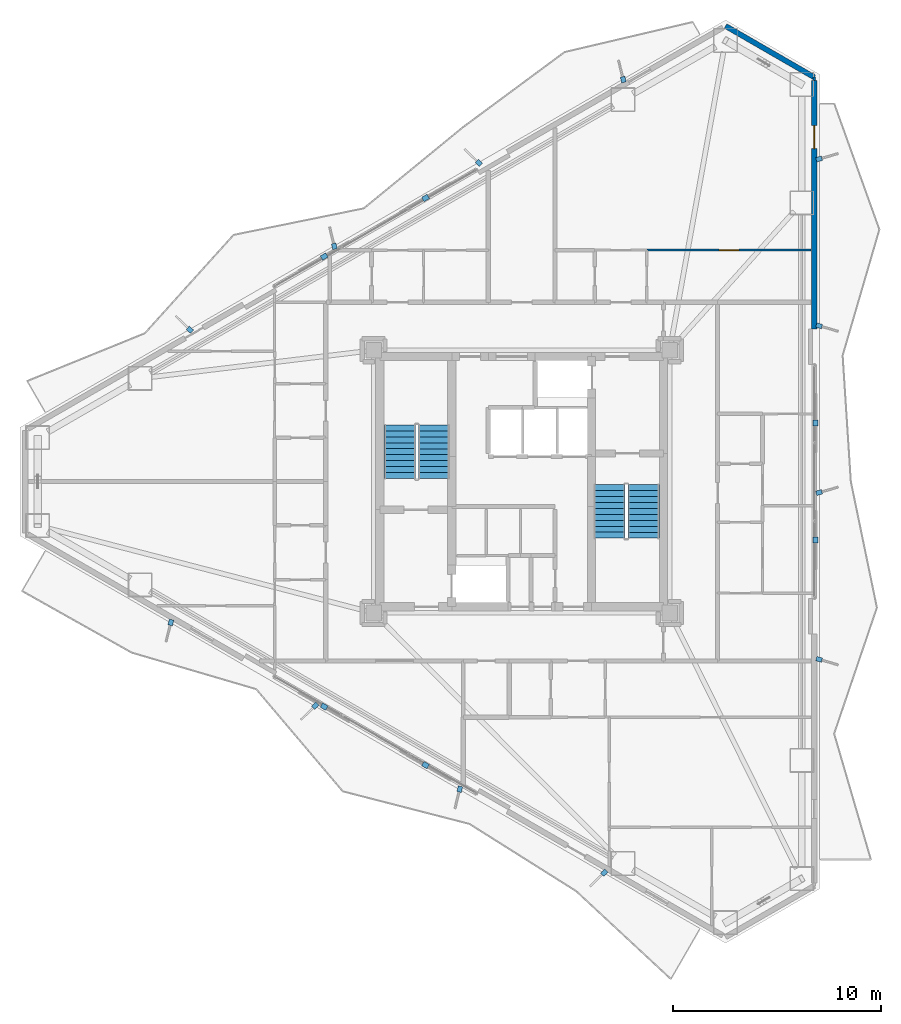
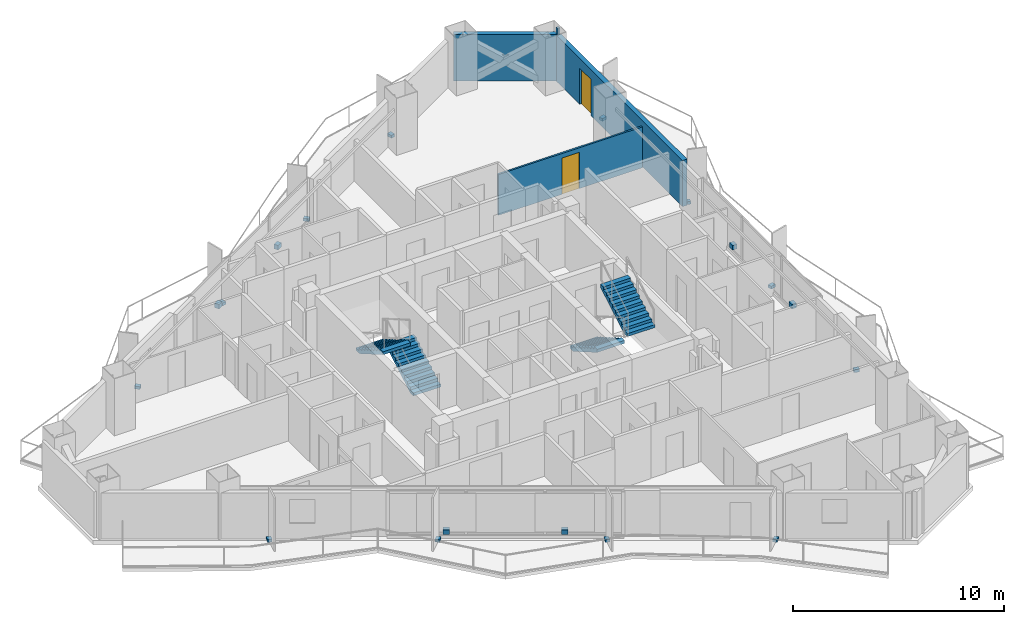
# One storey, part 20 of 22: 18 discrete accessories, 4 stair flights, 4 walls, 2 doors, 2 openings, 2 elements without a shape of their own.
"""IFC4 building model written with IfcOpenShell, lengths in metres."""

from ifc_helpers import new_model, si_unit, direction, frame, frame_2d, origin, origin_2d, place, context, subcontext, project, spatial, polyline, rectangle, outline, extrude, material, layer, layer_set, type_object, element, fill, aggregate, save


model = new_model("IFC4")

# Units and contexts
model_context = context("Model", 3, precision=1e-05, world=origin(), true_north=direction((0.0, 1.0)))
body_context = subcontext(model_context, "Body", "Model", "MODEL_VIEW")
ifc_project = project(units=[si_unit("LENGTHUNIT", "METRE"), si_unit("AREAUNIT", "SQUARE_METRE"), si_unit("VOLUMEUNIT", "CUBIC_METRE"), si_unit("PLANEANGLEUNIT", "RADIAN"), si_unit("MASSUNIT", "GRAM", prefix="KILO")], contexts=[model_context])

# Site, building, storey
site_placement = place(None, origin())
site = spatial("IfcSite", under=ifc_project, at=site_placement, CompositionType="ELEMENT")
building_placement = place(site_placement, origin())
building = spatial("IfcBuilding", under=site, at=building_placement, Name="Mersakhor Tower and Convention Hall", CompositionType="ELEMENT")
storey_placement = place(building_placement, frame((0.0, 0.0, 103.199951171875)))
storey = spatial("IfcBuildingStorey", under=building, at=storey_placement, Name="L28", CompositionType="ELEMENT", Elevation=103.199951171875)

# Wall
ifc_material_1 = material(Name="Precast concrete C40/50", Category="concrete")
ifc_layer_1 = layer(ifc_material_1, 0.25)
ifc_layer_set_1 = layer_set([ifc_layer_1], Name="Precast concrete C40/50")
wall_type_1 = type_object("IfcWallType", Name="WL-EXT-250", PredefinedType="SOLIDWALL", material=ifc_layer_set_1)
wall_1_placement = place(storey_placement, frame((38.77880859375, 48.6015625, 0.0), z_axis=(0.0, 0.0, 1.0), x_axis=(0.866011848704, -0.500023477353, 0.0)))
element("IfcWall", 1, at=wall_1_placement, inside=storey, type_object=wall_type_1, Name="L28 Chamfer Braced Spandrel Wall C1", PredefinedType="SOLIDWALL", context=body_context, shape_type="SweptSolid", body=[
    extrude(rectangle(XDim=4.914306640625, YDim=0.25, at=frame_2d((2.45703125, 0.0))), origin(), (0.0, 0.0, 1.0), 2.670166015625),
])

# Wall, opening, door
wall_2_placement = place(storey_placement, frame((43.03466796875, 45.994384765625, 0.0), z_axis=(0.0, 0.0, 1.0), x_axis=(0.0, -1.0, 0.0)))
wall_2 = element("IfcWall", 2, at=wall_2_placement, inside=storey, type_object=wall_type_1, Name="L28 Exterior Facade Wall F2-B1", PredefinedType="SOLIDWALL", context=body_context, shape_type="SweptSolid", body=[
    extrude(rectangle(XDim=11.9296875, YDim=0.25, at=frame_2d((5.96484375, 0.0))), origin(), (0.0, 0.0, 1.0), 2.670166015625),
])
opening_1_placement = place(wall_2_placement, frame((2.176025390625, 0.0, 0.0)))
opening_1 = element("IfcOpeningElement", 3, at=opening_1_placement, cuts=wall_2, Name="Opening BD-02", PredefinedType="OPENING", context=body_context, shape_type="SweptSolid", body=[
    extrude(rectangle(XDim=1.10009765625, YDim=2.10009765625, at=frame_2d((0.550048828125, 1.050048828125))), frame((0.0, 0.135009765625, 0.0), z_axis=(0.0, -1.0, 0.0), x_axis=(1.0, 0.0, 0.0)), (0.0, 0.0, 1.0), 0.27001953125),
])
ifc_material_2 = material(Name="Thermally broken dark aluminium and safety glass", Category="aluminium")
door_type_1 = type_object("IfcDoorType", Name="DR-BAL-110x210", OperationType="NOTDEFINED", PredefinedType="DOOR", material=ifc_material_2)
door_1_placement = place(opening_1_placement, origin())
door_1 = element("IfcDoor", 4, at=door_1_placement, inside=storey, type_object=door_type_1, Name="L28 Balcony Terrace Door F2-B1", OperationType="SINGLE_SWING_RIGHT", OverallHeight=2.10009765625, OverallWidth=1.10009765625, PredefinedType="DOOR", context=body_context, shape_type="SweptSolid", body=[
    extrude(rectangle(XDim=1.10009765625, YDim=2.10009765625, at=frame_2d((0.550048828125, 1.050048828125))), frame((0.0, 0.02490234375, 0.0), z_axis=(0.0, -1.0, 0.0), x_axis=(1.0, 0.0, 0.0)), (0.0, 0.0, 1.0), 0.050048828125),
])
fill(opening_1, door_1)

ifc_material_3 = material(Name="Lightweight gypsum partition", Category="other")
ifc_layer_2 = layer(ifc_material_3, 0.10009765625)
ifc_layer_set_2 = layer_set([ifc_layer_2], Name="Lightweight gypsum partition")
wall_type_2 = type_object("IfcWallType", Name="WL-PRT-100", PredefinedType="PARTITIONING", material=ifc_layer_set_2)
wall_3_placement = place(storey_placement, frame((35.0, 37.85009765625, 0.0), z_axis=(0.0, 0.0, 1.0), x_axis=(1.0, 0.0, 0.0)))
wall_3 = element("IfcWall", 5, at=wall_3_placement, inside=storey, type_object=wall_type_2, Name="L28 Interior Partition Wall P-094", PredefinedType="PARTITIONING", context=body_context, shape_type="SweptSolid", body=[
    extrude(rectangle(XDim=7.885498046875, YDim=0.10009765625, at=frame_2d((3.94287109375, 0.0))), origin(), (0.0, 0.0, 1.0), 2.364990234375),
])
opening_2_placement = place(wall_3_placement, frame((3.4677734375, 0.0, 0.0)))
opening_2 = element("IfcOpeningElement", 6, at=opening_2_placement, cuts=wall_3, Name="Opening RD-01", PredefinedType="OPENING", context=body_context, shape_type="SweptSolid", body=[
    extrude(rectangle(XDim=0.949951171875, YDim=2.10009765625, at=frame_2d((0.47509765625, 1.050048828125))), frame((0.0, 0.06005859375, 0.0), z_axis=(0.0, -1.0, 0.0), x_axis=(1.0, 0.0, 0.0)), (0.0, 0.0, 1.0), 0.1201171875),
])
ifc_material_4 = material(Name="Solid-core hardwood leaf in painted steel frame", Category="steel")
door_type_2 = type_object("IfcDoorType", Name="DR-INT-RM-095x210", OperationType="NOTDEFINED", PredefinedType="DOOR", material=ifc_material_4)
door_2_placement = place(opening_2_placement, origin())
door_2 = element("IfcDoor", 7, at=door_2_placement, inside=storey, type_object=door_type_2, Name="L28 L28 Flat N2 Kitchen to L28 Flat N2 Studio Living and Sleeping Room Door", OperationType="SINGLE_SWING_LEFT", OverallHeight=2.10009765625, OverallWidth=0.949951171875, PredefinedType="DOOR", context=body_context, shape_type="SweptSolid", body=[
    extrude(rectangle(XDim=0.949951171875, YDim=2.10009765625, at=frame_2d((0.47509765625, 1.050048828125))), frame((0.0, 0.02490234375, 0.0), z_axis=(0.0, -1.0, 0.0), x_axis=(1.0, 0.0, 0.0)), (0.0, 0.0, 1.0), 0.050048828125),
])
fill(opening_2, door_2)

# Wall
ifc_material_5 = material(Name="Gypsum board acoustic partition", Category="other")
ifc_layer_3 = layer(ifc_material_5, 0.125)
ifc_layer_set_3 = layer_set([ifc_layer_3], Name="Gypsum board acoustic partition")
wall_type_3 = type_object("IfcWallType", Name="WL-PRT-125", PredefinedType="PARTITIONING", material=ifc_layer_set_3)
wall_4_placement = place(storey_placement, frame((43.034912109375, 46.14404296875, 0.0), z_axis=(0.0, 0.0, 1.0), x_axis=(0.0, -1.0, 0.0)))
element("IfcWall", 8, at=wall_4_placement, inside=storey, type_object=wall_type_3, Name="L28 Interior Partition Wall P-117", PredefinedType="PARTITIONING", context=body_context, shape_type="SweptSolid", body=[
    extrude(rectangle(XDim=0.149658203125, YDim=0.125, at=frame_2d((0.07470703125, 0.0))), origin(), (0.0, 0.0, 1.0), 3.050048828125),
])

# Stair, stair flights
ifc_material_6 = material(Name="Concrete C45/55", Category="concrete")
stair_type = type_object("IfcStairType", Name="ST-TWR-20R", PredefinedType="HALF_TURN_STAIR", material=ifc_material_6)
stair_1_placement = place(storey_placement, origin())
stair_1 = element("IfcStair", 9, at=stair_1_placement, inside=storey, type_object=stair_type, Name="L28 Tower Protected Exit Stair ST-1", PredefinedType="HALF_TURN_STAIR")
ifc_material_7 = material(Name="Concrete C45/55", Category="concrete")
stair_flight_type = type_object("IfcStairFlightType", Name="SFL-TWR-20R", PredefinedType="STRAIGHT", material=ifc_material_7)
stair_flight_1_placement = place(storey_placement, frame((24.800048828125, 26.89990234375, 0.0), z_axis=(0.0, 0.0, 1.0), x_axis=(0.0, 1.0, 0.0)))
stair_flight_1 = element("IfcStairFlight", 10, at=stair_flight_1_placement, type_object=stair_flight_type, Name="ST-1 flight 1", NumberOfRisers=10, NumberOfTreads=9, PredefinedType="STRAIGHT", RiserHeight=0.165, TreadLength=0.285, context=body_context, shape_type="SweptSolid", body=[
    extrude(outline(polyline([(0.0, 0.0), (0.0, 0.1650390625), (0.284912109375, 0.1650390625), (0.284912109375, 0.330078125), (0.570068359375, 0.330078125), (0.570068359375, 0.4951171875), (0.85498046875, 0.4951171875), (0.85498046875, 0.659912109375), (1.139892578125, 0.659912109375), (1.139892578125, 0.824951171875), (1.425048828125, 0.824951171875), (1.425048828125, 0.989990234375), (1.7099609375, 0.989990234375), (1.7099609375, 1.155029296875), (1.9951171875, 1.155029296875), (1.9951171875, 1.320068359375), (2.280029296875, 1.320068359375), (2.280029296875, 1.485107421875), (2.56494140625, 1.485107421875), (2.56494140625, 1.64990234375), (2.56494140625, 1.311767578125), (0.299072265625, 0.0), (0.0, 0.0)])), frame((0.0, 0.75, 0.0), z_axis=(0.0, -1.0, 0.0), x_axis=(1.0, 0.0, 0.0)), (0.0, 0.0, 1.0), 1.5),
])
stair_flight_2_placement = place(storey_placement, frame((23.14990234375, 29.465087890625, 1.650146484375), z_axis=(0.0, 0.0, 1.0), x_axis=(0.0, -1.0, 0.0)))
stair_flight_2 = element("IfcStairFlight", 11, at=stair_flight_2_placement, type_object=stair_flight_type, Name="ST-1 flight 2", NumberOfRisers=10, NumberOfTreads=9, PredefinedType="STRAIGHT", RiserHeight=0.165, TreadLength=0.285, context=body_context, shape_type="SweptSolid", body=[
    extrude(outline(polyline([(0.0, 0.0), (0.0, 0.1650390625), (0.284912109375, 0.1650390625), (0.284912109375, 0.330078125), (0.570068359375, 0.330078125), (0.570068359375, 0.4951171875), (0.85498046875, 0.4951171875), (0.85498046875, 0.659912109375), (1.139892578125, 0.659912109375), (1.139892578125, 0.824951171875), (1.425048828125, 0.824951171875), (1.425048828125, 0.989990234375), (1.7099609375, 0.989990234375), (1.7099609375, 1.155029296875), (1.9951171875, 1.155029296875), (1.9951171875, 1.320068359375), (2.280029296875, 1.320068359375), (2.280029296875, 1.485107421875), (2.56494140625, 1.485107421875), (2.56494140625, 1.64990234375), (2.56494140625, 1.311767578125), (0.299072265625, 0.0), (0.0, 0.0)])), frame((0.0, 0.75, 0.0), z_axis=(0.0, -1.0, 0.0), x_axis=(1.0, 0.0, 0.0)), (0.0, 0.0, 1.0), 1.5),
])
aggregate(stair_1, [stair_flight_1, stair_flight_2])

stair_2_placement = place(storey_placement, origin())
stair_2 = element("IfcStair", 12, at=stair_2_placement, inside=storey, type_object=stair_type, Name="L28 Tower Protected Exit Stair ST-2", PredefinedType="HALF_TURN_STAIR")
stair_flight_3_placement = place(storey_placement, frame((33.199951171875, 26.60009765625, 0.0), z_axis=(0.0, 0.0, 1.0), x_axis=(0.0, -1.0, 0.0)))
stair_flight_3 = element("IfcStairFlight", 13, at=stair_flight_3_placement, type_object=stair_flight_type, Name="ST-2 flight 1", NumberOfRisers=10, NumberOfTreads=9, PredefinedType="STRAIGHT", RiserHeight=0.165, TreadLength=0.285, context=body_context, shape_type="SweptSolid", body=[
    extrude(outline(polyline([(0.0, 0.0), (0.0, 0.1650390625), (0.284912109375, 0.1650390625), (0.284912109375, 0.330078125), (0.570068359375, 0.330078125), (0.570068359375, 0.4951171875), (0.85498046875, 0.4951171875), (0.85498046875, 0.659912109375), (1.139892578125, 0.659912109375), (1.139892578125, 0.824951171875), (1.425048828125, 0.824951171875), (1.425048828125, 0.989990234375), (1.7099609375, 0.989990234375), (1.7099609375, 1.155029296875), (1.9951171875, 1.155029296875), (1.9951171875, 1.320068359375), (2.280029296875, 1.320068359375), (2.280029296875, 1.485107421875), (2.56494140625, 1.485107421875), (2.56494140625, 1.64990234375), (2.56494140625, 1.311767578125), (0.299072265625, 0.0), (0.0, 0.0)])), frame((0.0, 0.75, 0.0), z_axis=(0.0, -1.0, 0.0), x_axis=(1.0, 0.0, 0.0)), (0.0, 0.0, 1.0), 1.5),
])
stair_flight_4_placement = place(storey_placement, frame((34.85009765625, 24.034912109375, 1.650146484375), z_axis=(0.0, 0.0, 1.0), x_axis=(0.0, 1.0, 0.0)))
stair_flight_4 = element("IfcStairFlight", 14, at=stair_flight_4_placement, type_object=stair_flight_type, Name="ST-2 flight 2", NumberOfRisers=10, NumberOfTreads=9, PredefinedType="STRAIGHT", RiserHeight=0.165, TreadLength=0.285, context=body_context, shape_type="SweptSolid", body=[
    extrude(outline(polyline([(0.0, 0.0), (0.0, 0.1650390625), (0.284912109375, 0.1650390625), (0.284912109375, 0.330078125), (0.570068359375, 0.330078125), (0.570068359375, 0.4951171875), (0.85498046875, 0.4951171875), (0.85498046875, 0.659912109375), (1.139892578125, 0.659912109375), (1.139892578125, 0.824951171875), (1.425048828125, 0.824951171875), (1.425048828125, 0.989990234375), (1.7099609375, 0.989990234375), (1.7099609375, 1.155029296875), (1.9951171875, 1.155029296875), (1.9951171875, 1.320068359375), (2.280029296875, 1.320068359375), (2.280029296875, 1.485107421875), (2.56494140625, 1.485107421875), (2.56494140625, 1.64990234375), (2.56494140625, 1.311767578125), (0.299072265625, 0.0), (0.0, 0.0)])), frame((0.0, 0.75, 0.0), z_axis=(0.0, -1.0, 0.0), x_axis=(1.0, 0.0, 0.0)), (0.0, 0.0, 1.0), 1.5),
])
aggregate(stair_2, [stair_flight_3, stair_flight_4])

# Discrete accessories
ifc_material_8 = material(Name="Galvanised steel bracket", Category="steel")
ifc_layer_4 = layer(ifc_material_8, 0.02001953125)
ifc_layer_set_4 = layer_set([ifc_layer_4], Name="Galvanised steel bracket")
discrete_accessory_type = type_object("IfcDiscreteAccessoryType", Name="ACC-BRK-STL", PredefinedType="BRACKET", material=ifc_layer_set_4)
for number, where, z_axis, x_axis, name in (
    (15, (19.5263671875, 37.5439453125, 0.2900390625), (0.0, 0.0, 1.0), (0.866025403784, 0.5, 0.0), "L28 Solar Screen Outrigger Bracket BRK-1-1"),
    (16, (24.388916015625, 40.351318359375, 0.2900390625), (0.0, 0.0, 1.0), (0.866025403784, 0.5, 0.0), "L28 Solar Screen Outrigger Bracket BRK-1-2"),
):
    element("IfcDiscreteAccessory", number, at=place(storey_placement, frame(where, z_axis=z_axis, x_axis=x_axis)), inside=storey, type_object=discrete_accessory_type, Name=name, PredefinedType="BRACKET", context=body_context, shape_type="SweptSolid", body=[
        extrude(rectangle(XDim=0.300048828125, YDim=0.239990234375, at=origin_2d()), origin(), (0.0, 0.0, 1.0), 0.260009765625),
    ])
for number, where, z_axis, x_axis, name in (
    (17, (13.08740234375, 34.0341796875, -0.02001953125), (0.0, 0.0, 1.0), (-0.719339800339, 0.694658370459, 0.0), "L28 Facade Fin Base Cleat Bracket FBRK-1-1"),
    (18, (20.015380859375, 38.0341796875, -0.02001953125), (0.0, 0.0, 1.0), (-0.2419218956, 0.970295726276, 0.0), "L28 Facade Fin Base Cleat Bracket FBRK-1-2"),
    (19, (26.943603515625, 42.0341796875, -0.02001953125), (0.0, 0.0, 1.0), (-0.719339800339, 0.694658370459, 0.0), "L28 Facade Fin Base Cleat Bracket FBRK-1-3"),
    (20, (33.871826171875, 46.0341796875, -0.02001953125), (0.0, 0.0, 1.0), (-0.2419218956, 0.970295726276, 0.0), "L28 Facade Fin Base Cleat Bracket FBRK-1-4"),
):
    element("IfcDiscreteAccessory", number, at=place(storey_placement, frame(where, z_axis=z_axis, x_axis=x_axis)), inside=storey, type_object=discrete_accessory_type, Name=name, PredefinedType="BRACKET", context=body_context, shape_type="SweptSolid", body=[
        extrude(rectangle(XDim=0.280029296875, YDim=0.219970703125, at=origin_2d()), origin(), (0.0, 0.0, 1.0), 0.159912109375),
    ])
for number, where, z_axis, x_axis, name in (
    (21, (43.084716796875, 29.557373046875, 0.2900390625), (0.0, 0.0, 1.0), (0.0, -1.0, 0.0), "L28 Solar Screen Outrigger Bracket BRK-2-1"),
    (22, (43.084716796875, 23.942626953125, 0.2900390625), (0.0, 0.0, 1.0), (0.0, -1.0, 0.0), "L28 Solar Screen Outrigger Bracket BRK-2-2"),
):
    element("IfcDiscreteAccessory", number, at=place(storey_placement, frame(where, z_axis=z_axis, x_axis=x_axis)), inside=storey, type_object=discrete_accessory_type, Name=name, PredefinedType="BRACKET", context=body_context, shape_type="SweptSolid", body=[
        extrude(rectangle(XDim=0.300048828125, YDim=0.239990234375, at=origin_2d()), origin(), (0.0, 0.0, 1.0), 0.260009765625),
    ])
for number, where, z_axis, x_axis, name in (
    (23, (43.2646484375, 42.221923828125, -0.02001953125), (0.0, 0.0, 1.0), (0.961261695938, 0.275637355817, 0.0), "L28 Facade Fin Base Cleat Bracket FBRK-2-1"),
    (24, (43.2646484375, 34.221923828125, -0.02001953125), (0.0, 0.0, 1.0), (0.961261695938, -0.275637355817, 0.0), "L28 Facade Fin Base Cleat Bracket FBRK-2-2"),
    (25, (43.2646484375, 26.221923828125, -0.02001953125), (0.0, 0.0, 1.0), (0.961261695938, 0.275637355817, 0.0), "L28 Facade Fin Base Cleat Bracket FBRK-2-3"),
    (26, (43.2646484375, 18.221923828125, -0.02001953125), (0.0, 0.0, 1.0), (0.961261695938, -0.275637355817, 0.0), "L28 Facade Fin Base Cleat Bracket FBRK-2-4"),
):
    element("IfcDiscreteAccessory", number, at=place(storey_placement, frame(where, z_axis=z_axis, x_axis=x_axis)), inside=storey, type_object=discrete_accessory_type, Name=name, PredefinedType="BRACKET", context=body_context, shape_type="SweptSolid", body=[
        extrude(rectangle(XDim=0.280029296875, YDim=0.219970703125, at=origin_2d()), origin(), (0.0, 0.0, 1.0), 0.159912109375),
    ])
for number, where, z_axis, x_axis, name in (
    (27, (24.388916015625, 13.148681640625, 0.2900390625), (0.0, 0.0, 1.0), (-0.866025403784, 0.5, 0.0), "L28 Solar Screen Outrigger Bracket BRK-3-1"),
    (28, (19.526611328125, 15.9560546875, 0.2900390625), (0.0, 0.0, 1.0), (-0.866025403784, 0.5, 0.0), "L28 Solar Screen Outrigger Bracket BRK-3-2"),
):
    element("IfcDiscreteAccessory", number, at=place(storey_placement, frame(where, z_axis=z_axis, x_axis=x_axis)), inside=storey, type_object=discrete_accessory_type, Name=name, PredefinedType="BRACKET", context=body_context, shape_type="SweptSolid", body=[
        extrude(rectangle(XDim=0.300048828125, YDim=0.239990234375, at=origin_2d()), origin(), (0.0, 0.0, 1.0), 0.260009765625),
    ])
for number, where, z_axis, x_axis, name in (
    (29, (32.95751953125, 7.993896484375, -0.02001953125), (0.0, 0.0, 1.0), (-0.719339800339, -0.694658370459, 0.0), "L28 Facade Fin Base Cleat Bracket FBRK-3-1"),
    (30, (26.029296875, 11.993896484375, -0.02001953125), (0.0, 0.0, 1.0), (-0.2419218956, -0.970295726276, 0.0), "L28 Facade Fin Base Cleat Bracket FBRK-3-2"),
    (31, (19.10107421875, 15.993896484375, -0.02001953125), (0.0, 0.0, 1.0), (-0.719339800339, -0.694658370459, 0.0), "L28 Facade Fin Base Cleat Bracket FBRK-3-3"),
    (32, (12.1728515625, 19.993896484375, -0.02001953125), (0.0, 0.0, 1.0), (-0.2419218956, -0.970295726276, 0.0), "L28 Facade Fin Base Cleat Bracket FBRK-3-4"),
):
    element("IfcDiscreteAccessory", number, at=place(storey_placement, frame(where, z_axis=z_axis, x_axis=x_axis)), inside=storey, type_object=discrete_accessory_type, Name=name, PredefinedType="BRACKET", context=body_context, shape_type="SweptSolid", body=[
        extrude(rectangle(XDim=0.280029296875, YDim=0.219970703125, at=origin_2d()), origin(), (0.0, 0.0, 1.0), 0.159912109375),
    ])

save(model, "model.ifc")
